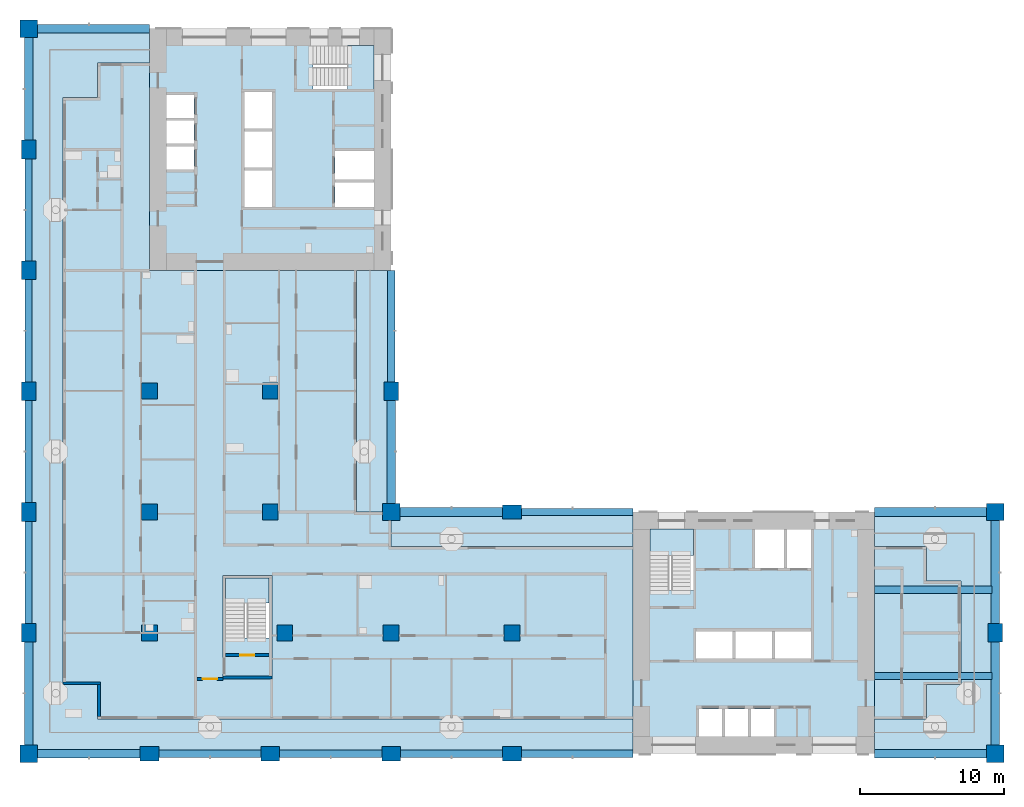
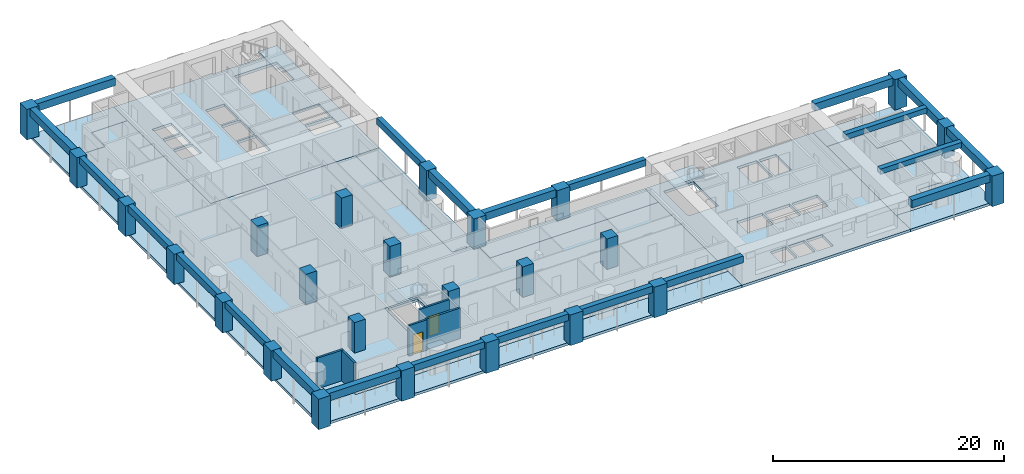
# One storey, part 1 of 18: 25 columns, 22 beams, 12 slabs, 5 walls, 2 doors, 2 openings, 3 elements without a shape of their own.
"""IFC4 building model written with IfcOpenShell, lengths in metres."""

import ifcopenshell
import ifcopenshell.guid

model = None  # the IFC model being written
_history = None  # IfcOwnerHistory: only IFC2X3 demands one
_inside = {}  # id of a spatial element -> (the spatial element, [elements in it])
_under = {}  # id of a project, library or spatial element -> (it, [spatial elements below it])
_declared = {}  # id of a project -> (the project, [libraries it declares])
_typed = {}  # id of a type object -> (the type object, [elements of that type])
_made_of = {}  # id of a material, layer set ... -> (it, [elements and type objects made of it])


def new_model(schema):
    """Start an empty IFC model of exactly this schema.

    Asked for "IFC4X3", IfcOpenShell would pick the latest addendum, in which some entities
    have other attributes; the version numbers below select the first issue.
    IFC2X3 requires an IfcOwnerHistory on every rooted entity: one is made here for all.
    """
    global model, _history
    if schema == "IFC4X3":
        model = ifcopenshell.file(schema_version=(4, 3, 0, 0))
    else:
        model = ifcopenshell.file(schema=schema)
    _inside.clear()
    _under.clear()
    _declared.clear()
    _typed.clear()
    _made_of.clear()
    _history = None
    if model.schema == "IFC2X3":
        org = make("IfcOrganization", Name="unknown")
        user = make(
            "IfcPersonAndOrganization",
            ThePerson=make("IfcPerson", FamilyName="unknown"),
            TheOrganization=org,
        )
        app = make(
            "IfcApplication",
            ApplicationDeveloper=org,
            Version="unknown",
            ApplicationFullName="unknown",
            ApplicationIdentifier="unknown",
        )
        _history = make(
            "IfcOwnerHistory",
            OwningUser=user,
            OwningApplication=app,
            ChangeAction="ADDED",
            CreationDate=0,
        )
    return model


def make(cls, **values):
    """One entity of the class cls with the attributes given. An attribute that is None is left unset."""
    return model.create_entity(
        cls, **{name: value for name, value in values.items() if value is not None}
    )


def rooted(cls, **values):
    """An entity with a GlobalId (a new one), such as an element, a storey or a relation."""
    return make(cls, GlobalId=ifcopenshell.guid.new(), OwnerHistory=_history, **values)


def si_unit(unit_type, name, prefix=None):
    """IfcSIUnit, for example si_unit("LENGTHUNIT", "METRE", prefix="MILLI")."""
    return make("IfcSIUnit", UnitType=unit_type, Prefix=prefix, Name=name)


def assignment(units):
    """IfcUnitAssignment: the units of a project."""
    return None if units is None else make("IfcUnitAssignment", Units=units)


def point(xyz):
    """IfcCartesianPoint."""
    return None if xyz is None else make("IfcCartesianPoint", Coordinates=xyz)


def direction(xyz):
    """IfcDirection."""
    return None if xyz is None else make("IfcDirection", DirectionRatios=xyz)


def frame(location, z_axis=None, x_axis=None):
    """IfcAxis2Placement3D, a coordinate frame: its origin and axes. An axis left out is left unset."""
    return make(
        "IfcAxis2Placement3D",
        Location=point(location),
        Axis=direction(z_axis),
        RefDirection=direction(x_axis),
    )


def frame_2d(location, x_axis=None):
    """IfcAxis2Placement2D, a coordinate frame in the plane: its origin and x axis."""
    return make(
        "IfcAxis2Placement2D", Location=point(location), RefDirection=direction(x_axis)
    )


def origin():
    """The frame at (0, 0, 0) with its axes left unset."""
    return frame((0.0, 0.0, 0.0))


def origin_2d():
    """The frame at (0, 0) in the plane with its x axis left unset."""
    return frame_2d((0.0, 0.0))


def place(relative_to, where):
    """IfcLocalPlacement: puts the frame where relative to a parent placement (None: the world)."""
    return make(
        "IfcLocalPlacement", PlacementRelTo=relative_to, RelativePlacement=where
    )


def context(
    kind, dimensions, precision=None, world=None, true_north=None, identifier=None
):
    """IfcGeometricRepresentationContext, for example the 3D "Model" context."""
    return make(
        "IfcGeometricRepresentationContext",
        ContextIdentifier=identifier,
        ContextType=kind,
        CoordinateSpaceDimension=dimensions,
        Precision=precision,
        WorldCoordinateSystem=world,
        TrueNorth=true_north,
    )


def subcontext(parent, identifier, kind, view, scale=None):
    """IfcGeometricRepresentationSubContext, for example "Body" below "Model"."""
    return make(
        "IfcGeometricRepresentationSubContext",
        ContextIdentifier=identifier,
        ContextType=kind,
        ParentContext=parent,
        TargetScale=scale,
        TargetView=view,
    )


def project(units=None, contexts=None):
    """IfcProject with its units and contexts."""
    return rooted(
        "IfcProject",
        Name="project",
        RepresentationContexts=contexts,
        UnitsInContext=assignment(units),
    )


def spatial(cls, under=None, at=None, **own):
    """A site, building, storey or space (cls), placed at a placement, below another one or the project."""
    s = rooted(cls, ObjectPlacement=at, **own)
    if under is not None:
        _under.setdefault(under.id(), (under, []))[1].append(s)
    return s


def polyline(points):
    """IfcPolyline through the points."""
    return make("IfcPolyline", Points=[point(p) for p in points])


def profile(cls, at=None, kind="AREA", **sizes):
    """A parametric profile (cls). Its sizes go by their IFC names, for example OverallWidth=200.0."""
    return make(cls, ProfileType=kind, Position=at, **sizes)


def rectangle(**sizes):
    """IfcRectangleProfileDef."""
    return profile("IfcRectangleProfileDef", **sizes)


def outline(outer, holes=None, kind="AREA"):
    """IfcArbitraryClosedProfileDef: a profile drawn as a closed curve; with holes, ...WithVoids."""
    if holes is None:
        return make("IfcArbitraryClosedProfileDef", ProfileType=kind, OuterCurve=outer)
    return make(
        "IfcArbitraryProfileDefWithVoids",
        ProfileType=kind,
        OuterCurve=outer,
        InnerCurves=holes,
    )


def extrude(swept, where, along, depth):
    """IfcExtrudedAreaSolid: the profile swept, set in the frame where, extruded along a direction by depth."""
    return make(
        "IfcExtrudedAreaSolid",
        SweptArea=swept,
        Position=where,
        ExtrudedDirection=direction(along),
        Depth=depth,
    )


def shape(context_of_items, identifier, shape_type, items):
    """IfcShapeRepresentation: the items that make up one representation, for example the "Body"."""
    return make(
        "IfcShapeRepresentation",
        ContextOfItems=context_of_items,
        RepresentationIdentifier=identifier,
        RepresentationType=shape_type,
        Items=items,
    )


def material(Name=None, Category=None):
    """IfcMaterial."""
    return make("IfcMaterial", Name=Name, Category=Category)


def layer(
    of_material, thickness, ventilated=None, Name=None, Category=None, Priority=None
):
    """IfcMaterialLayer: one layer of a wall or slab, of a material (None: an air gap)."""
    return make(
        "IfcMaterialLayer",
        Material=of_material,
        LayerThickness=thickness,
        IsVentilated=ventilated,
        Name=Name,
        Category=Category,
        Priority=Priority,
    )


def layer_set(layers, Name=None):
    """IfcMaterialLayerSet."""
    return make("IfcMaterialLayerSet", MaterialLayers=layers, LayerSetName=Name)


def material_profile(
    of_material, cross_section, Name=None, Category=None, Priority=None
):
    """IfcMaterialProfile: a cross section and its material."""
    return make(
        "IfcMaterialProfile",
        Name=Name,
        Material=of_material,
        Profile=cross_section,
        Priority=Priority,
        Category=Category,
    )


def profile_set(profiles, Name=None, composite=None):
    """IfcMaterialProfileSet."""
    return make(
        "IfcMaterialProfileSet",
        Name=Name,
        MaterialProfiles=profiles,
        CompositeProfile=composite,
    )


def made_of(thing, what):
    """Note that an element or type object is made of a material, layer set ...; save() writes the relation."""
    if what is not None:
        _made_of.setdefault(what.id(), (what, []))[1].append(thing)
    return thing


def type_object(cls, material=None, **own):
    """A type object (cls), such as IfcWallType, which elements share."""
    return made_of(rooted(cls, **own), material)


def element(
    cls,
    number,
    at=None,
    inside=None,
    cuts=None,
    type_object=None,
    material=None,
    context=None,
    identifier="Body",
    shape_type=None,
    held_by="IfcProductDefinitionShape",
    body=None,
    shapes=None,
    **own,
):
    """One element of the class cls, such as IfcWall. Its Tag is "e" and its number.

    at: its placement. inside: the storey or other place that contains it. cuts: it is an
    opening in that element (IfcRelVoidsElement). A single representation is given by context,
    identifier, shape_type and body (its items); several are given by shapes. held_by: the class
    of the entity that holds the representations. save() writes the other relations.
    """
    e = rooted(cls, Tag="e%d" % number, ObjectPlacement=at, **own)
    if body is not None:
        shapes = [shape(context, identifier, shape_type, body)]
    if shapes is not None:
        e.Representation = make(held_by, Representations=shapes)
    if inside is not None:
        _inside.setdefault(inside.id(), (inside, []))[1].append(e)
    if cuts is not None:
        rooted(
            "IfcRelVoidsElement", RelatingBuildingElement=cuts, RelatedOpeningElement=e
        )
    if type_object is not None:
        _typed.setdefault(type_object.id(), (type_object, []))[1].append(e)
    return made_of(e, material)


def fill(opening, filler):
    """IfcRelFillsElement: the door or window that sits in an opening."""
    return rooted(
        "IfcRelFillsElement",
        RelatingOpeningElement=opening,
        RelatedBuildingElement=filler,
    )


def aggregate(whole, parts):
    """IfcRelAggregates: a whole, such as a stair, and the parts it consists of."""
    return rooted("IfcRelAggregates", RelatingObject=whole, RelatedObjects=parts)


def save(model, path):
    """Write the relations noted so far, then the file.

    IfcRelAggregates (storeys below a building ...), IfcRelContainedInSpatialStructure (elements
    in a storey), IfcRelDefinesByType, IfcRelAssociatesMaterial and IfcRelDeclares: one each for
    every whole, place, type object, material and project.
    """
    for whole, parts in _under.values():
        aggregate(whole, parts)
    for where, things in _inside.values():
        rooted(
            "IfcRelContainedInSpatialStructure",
            RelatedElements=things,
            RelatingStructure=where,
        )
    for kind, things in _typed.values():
        rooted("IfcRelDefinesByType", RelatedObjects=things, RelatingType=kind)
    for what, things in _made_of.values():
        rooted("IfcRelAssociatesMaterial", RelatedObjects=things, RelatingMaterial=what)
    for by, libraries in _declared.values():
        rooted("IfcRelDeclares", RelatingContext=by, RelatedDefinitions=libraries)
    model.write(path)


model = new_model("IFC4")

# Units and contexts
model_context = context("Model", 3, precision=1e-05, world=origin(), true_north=direction((0.0, 1.0)))
body_context = subcontext(model_context, "Body", "Model", "MODEL_VIEW")
ifc_project = project(units=[si_unit("LENGTHUNIT", "METRE"), si_unit("AREAUNIT", "SQUARE_METRE"), si_unit("VOLUMEUNIT", "CUBIC_METRE"), si_unit("PLANEANGLEUNIT", "RADIAN"), si_unit("MASSUNIT", "GRAM", prefix="KILO")], contexts=[model_context])

# Site, building, storey
site_placement = place(None, origin())
site = spatial("IfcSite", under=ifc_project, at=site_placement, CompositionType="ELEMENT")
building_placement = place(site_placement, origin())
building = spatial("IfcBuilding", under=site, at=building_placement, Name="Vermilion Gate Residences", CompositionType="ELEMENT")
storey_placement = place(building_placement, frame((0.0, 0.0, 102.199951171875)))
storey = spatial("IfcBuildingStorey", under=building, at=storey_placement, Name="L25", CompositionType="ELEMENT", Elevation=102.199951171875)

# Columns
ifc_material_1 = material(Name="Concrete C70", Category="concrete")
ifc_material_profile_1 = material_profile(ifc_material_1, rectangle(XDim=1.10009765625, YDim=1.10009765625, at=origin_2d()), Name="RC-1100x1100")
ifc_profile_set_1 = profile_set([ifc_material_profile_1], Name="Concrete C70")
column_type_1 = type_object("IfcColumnType", Name="RC COLUMN 1100 X 1100 C70", PredefinedType="COLUMN", material=ifc_profile_set_1)
for number, where, z_axis, x_axis, name in (
    (1, (8.39990234375, 16.800048828125, 0.0), (0.0, 0.0, 1.0), (1.0, 0.0, 0.0), "Column 2-C L25"),
    (2, (8.39990234375, 25.199951171875, 0.0), (0.0, 0.0, 1.0), (1.0, 0.0, 0.0), "Column 2-D L25"),
    (3, (8.39990234375, 33.60009765625, 0.0), (0.0, 0.0, 1.0), (1.0, 0.0, 0.0), "Column 2-E L25"),
    (4, (17.800048828125, 16.800048828125, 0.0), (0.0, 0.0, 1.0), (1.0, 0.0, 0.0), "Column 3-C L25"),
    (5, (16.800048828125, 25.199951171875, 0.0), (0.0, 0.0, 1.0), (1.0, 0.0, 0.0), "Column 3-D L25"),
    (6, (16.800048828125, 33.60009765625, 0.0), (0.0, 0.0, 1.0), (1.0, 0.0, 0.0), "Column 3-E L25"),
    (7, (25.199951171875, 16.800048828125, 0.0), (0.0, 0.0, 1.0), (1.0, 0.0, 0.0), "Column 4-C L25"),
    (8, (33.60009765625, 16.800048828125, 0.0), (0.0, 0.0, 1.0), (1.0, 0.0, 0.0), "Column 5-C L25"),
):
    element("IfcColumn", number, at=place(storey_placement, frame(where, z_axis=z_axis, x_axis=x_axis)), inside=storey, type_object=column_type_1, Name=name, PredefinedType="COLUMN", context=body_context, shape_type="SweptSolid", body=[
        extrude(rectangle(XDim=1.10009765625, YDim=1.10009765625, at=origin_2d()), origin(), (0.0, 0.0, 1.0), 3.219970703125),
    ])
ifc_material_2 = material(Name="Concrete C70", Category="concrete")
ifc_material_profile_2 = material_profile(ifc_material_2, rectangle(XDim=1.199951171875, YDim=1.199951171875, at=origin_2d()), Name="RC-1200x1200")
ifc_profile_set_2 = profile_set([ifc_material_profile_2], Name="Concrete C70")
column_type_2 = type_object("IfcColumnType", Name="RC COLUMN 1200 X 1200 C70", PredefinedType="COLUMN", material=ifc_profile_set_2)
for number, where, z_axis, x_axis, name in (
    (9, (0.0, 8.39990234375, 0.0), (0.0, 0.0, 1.0), (1.0, 0.0, 0.0), "Column 1-B L25"),
    (10, (0.0, 58.800048828125, 0.0), (0.0, 0.0, 1.0), (1.0, 0.0, 0.0), "Column 1-H L25"),
    (11, (25.199951171875, 25.199951171875, 0.0), (0.0, 0.0, 1.0), (1.0, 0.0, 0.0), "Column 4-D L25"),
    (12, (67.199951171875, 8.39990234375, 0.0), (0.0, 0.0, 1.0), (1.0, 0.0, 0.0), "Column 9-B L25"),
    (13, (67.199951171875, 25.199951171875, 0.0), (0.0, 0.0, 1.0), (1.0, 0.0, 0.0), "Column 9-D L25"),
):
    element("IfcColumn", number, at=place(storey_placement, frame(where, z_axis=z_axis, x_axis=x_axis)), inside=storey, type_object=column_type_2, Name=name, PredefinedType="COLUMN", context=body_context, shape_type="SweptSolid", body=[
        extrude(rectangle(XDim=1.199951171875, YDim=1.199951171875, at=origin_2d()), origin(), (0.0, 0.0, 1.0), 3.219970703125),
    ])
ifc_material_3 = material(Name="Concrete C70", Category="concrete")
ifc_material_profile_3 = material_profile(ifc_material_3, rectangle(XDim=1.300048828125, YDim=1.0, at=origin_2d()), Name="RC-1300x1000")
ifc_profile_set_3 = profile_set([ifc_material_profile_3], Name="Concrete C70")
column_type_3 = type_object("IfcColumnType", Name="RC COLUMN 1300 X 1000 C70", PredefinedType="COLUMN", material=ifc_profile_set_3)
for number, where, z_axis, x_axis, name in (
    (14, (0.0, 16.800048828125, 0.0), (0.0, 0.0, 1.0), (0.0, 1.0, 0.0), "Column 1-C L25"),
    (15, (0.0, 25.199951171875, 0.0), (0.0, 0.0, 1.0), (0.0, 1.0, 0.0), "Column 1-D L25"),
    (16, (0.0, 33.60009765625, 0.0), (0.0, 0.0, 1.0), (0.0, 1.0, 0.0), "Column 1-E L25"),
    (17, (0.0, 42.0, 0.0), (0.0, 0.0, 1.0), (0.0, 1.0, 0.0), "Column 1-F L25"),
    (18, (0.0, 50.39990234375, 0.0), (0.0, 0.0, 1.0), (0.0, 1.0, 0.0), "Column 1-G L25"),
    (19, (8.39990234375, 8.39990234375, 0.0), (0.0, 0.0, 1.0), (1.0, 0.0, 0.0), "Column 2-B L25"),
    (20, (16.800048828125, 8.39990234375, 0.0), (0.0, 0.0, 1.0), (1.0, 0.0, 0.0), "Column 3-B L25"),
    (21, (25.199951171875, 8.39990234375, 0.0), (0.0, 0.0, 1.0), (1.0, 0.0, 0.0), "Column 4-B L25"),
    (22, (25.199951171875, 33.60009765625, 0.0), (0.0, 0.0, 1.0), (0.0, 1.0, 0.0), "Column 4-E L25"),
    (23, (33.60009765625, 8.39990234375, 0.0), (0.0, 0.0, 1.0), (1.0, 0.0, 0.0), "Column 5-B L25"),
    (24, (33.60009765625, 25.199951171875, 0.0), (0.0, 0.0, 1.0), (1.0, 0.0, 0.0), "Column 5-D L25"),
    (25, (67.199951171875, 16.800048828125, 0.0), (0.0, 0.0, 1.0), (0.0, 1.0, 0.0), "Column 9-C L25"),
):
    element("IfcColumn", number, at=place(storey_placement, frame(where, z_axis=z_axis, x_axis=x_axis)), inside=storey, type_object=column_type_3, Name=name, PredefinedType="COLUMN", context=body_context, shape_type="SweptSolid", body=[
        extrude(rectangle(XDim=1.300048828125, YDim=1.0, at=origin_2d()), origin(), (0.0, 0.0, 1.0), 3.219970703125),
    ])

# Beams
ifc_material_4 = material(Name="Concrete C60 red-oxide pigmented", Category="concrete")
ifc_material_profile_4 = material_profile(ifc_material_4, rectangle(XDim=0.60009765625, YDim=0.800048828125, at=origin_2d()), Name="RC-600x800")
ifc_profile_set_4 = profile_set([ifc_material_profile_4], Name="Concrete C60 red-oxide pigmented")
beam_type_1 = type_object("IfcBeamType", Name="RC CORNER EDGE BEAM 600 X 800 C60", PredefinedType="BEAM", material=ifc_profile_set_4)
for number, where, z_axis, x_axis, name in (
    (26, (0.60009765625, 8.39990234375, 2.820068359375), (1.0, 0.0, 0.0), (0.0, 1.0, 0.0), "Corner edge beam L25 1"),
    (27, (0.0, 9.0, 2.820068359375), (0.0, 1.0, 0.0), (-1.0, 0.0, 0.0), "Corner edge beam L25 2"),
):
    element("IfcBeam", number, at=place(storey_placement, frame(where, z_axis=z_axis, x_axis=x_axis)), inside=storey, type_object=beam_type_1, Name=name, PredefinedType="BEAM", context=body_context, shape_type="SweptSolid", body=[
        extrude(rectangle(XDim=0.60009765625, YDim=0.800048828125, at=origin_2d()), origin(), (0.0, 0.0, 1.0), 7.14990234375),
    ])
beam_1_placement = place(storey_placement, frame((0.60009765625, 58.800048828125, 2.820068359375), z_axis=(1.0, 0.0, 0.0), x_axis=(0.0, 1.0, 0.0)))
element("IfcBeam", 28, at=beam_1_placement, inside=storey, type_object=beam_type_1, Name="Corner edge beam L25 7", PredefinedType="BEAM", context=body_context, shape_type="SweptSolid", body=[
    extrude(rectangle(XDim=0.60009765625, YDim=0.800048828125, at=origin_2d()), origin(), (0.0, 0.0, 1.0), 7.7998046875),
])
for number, where, z_axis, x_axis, name in (
    (29, (0.0, 51.050048828125, 2.820068359375), (0.0, 1.0, 0.0), (-1.0, 0.0, 0.0), "Corner edge beam L25 8"),
    (30, (25.199951171875, 25.800048828125, 2.820068359375), (0.0, 1.0, 0.0), (-1.0, 0.0, 0.0), "Corner edge beam L25 11"),
    (31, (25.800048828125, 25.199951171875, 2.820068359375), (1.0, 0.0, 0.0), (0.0, 1.0, 0.0), "Corner edge beam L25 14"),
):
    element("IfcBeam", number, at=place(storey_placement, frame(where, z_axis=z_axis, x_axis=x_axis)), inside=storey, type_object=beam_type_1, Name=name, PredefinedType="BEAM", context=body_context, shape_type="SweptSolid", body=[
        extrude(rectangle(XDim=0.60009765625, YDim=0.800048828125, at=origin_2d()), origin(), (0.0, 0.0, 1.0), 7.14990234375),
    ])
beam_2_placement = place(storey_placement, frame((58.800048828125, 8.39990234375, 2.820068359375), z_axis=(1.0, 0.0, 0.0), x_axis=(0.0, 1.0, 0.0)))
element("IfcBeam", 32, at=beam_2_placement, inside=storey, type_object=beam_type_1, Name="Corner edge beam L25 17", PredefinedType="BEAM", context=body_context, shape_type="SweptSolid", body=[
    extrude(rectangle(XDim=0.60009765625, YDim=0.800048828125, at=origin_2d()), origin(), (0.0, 0.0, 1.0), 7.800048828125),
])
beam_3_placement = place(storey_placement, frame((67.199951171875, 9.0, 2.820068359375), z_axis=(0.0, 1.0, 0.0), x_axis=(-1.0, 0.0, 0.0)))
element("IfcBeam", 33, at=beam_3_placement, inside=storey, type_object=beam_type_1, Name="Corner edge beam L25 18", PredefinedType="BEAM", context=body_context, shape_type="SweptSolid", body=[
    extrude(rectangle(XDim=0.60009765625, YDim=0.800048828125, at=origin_2d()), origin(), (0.0, 0.0, 1.0), 7.14990234375),
])
beam_4_placement = place(storey_placement, frame((67.199951171875, 17.449951171875, 2.820068359375), z_axis=(0.0, 1.0, 0.0), x_axis=(-1.0, 0.0, 0.0)))
element("IfcBeam", 34, at=beam_4_placement, inside=storey, type_object=beam_type_1, Name="Corner edge beam L25 19", PredefinedType="BEAM", context=body_context, shape_type="SweptSolid", body=[
    extrude(rectangle(XDim=0.60009765625, YDim=0.800048828125, at=origin_2d()), origin(), (0.0, 0.0, 1.0), 7.150146484375),
])
beam_5_placement = place(storey_placement, frame((58.800048828125, 25.199951171875, 2.820068359375), z_axis=(1.0, 0.0, 0.0), x_axis=(0.0, 1.0, 0.0)))
element("IfcBeam", 35, at=beam_5_placement, inside=storey, type_object=beam_type_1, Name="Corner edge beam L25 20", PredefinedType="BEAM", context=body_context, shape_type="SweptSolid", body=[
    extrude(rectangle(XDim=0.60009765625, YDim=0.800048828125, at=origin_2d()), origin(), (0.0, 0.0, 1.0), 7.800048828125),
])
ifc_material_5 = material(Name="Concrete C60 red-oxide pigmented", Category="concrete")
ifc_material_profile_5 = material_profile(ifc_material_5, rectangle(XDim=0.5, YDim=0.699951171875, at=origin_2d()), Name="RC-500x700")
ifc_profile_set_5 = profile_set([ifc_material_profile_5], Name="Concrete C60 red-oxide pigmented")
beam_type_2 = type_object("IfcBeamType", Name="RC EDGE BEAM 500 X 700 C60", PredefinedType="BEAM", material=ifc_profile_set_5)
beam_6_placement = place(storey_placement, frame((0.0, 17.449951171875, 2.8701171875), z_axis=(0.0, 1.0, 0.0), x_axis=(-1.0, 0.0, 0.0)))
element("IfcBeam", 36, at=beam_6_placement, inside=storey, type_object=beam_type_2, Name="Edge beam L25 3", PredefinedType="BEAM", context=body_context, shape_type="SweptSolid", body=[
    extrude(rectangle(XDim=0.5, YDim=0.699951171875, at=origin_2d()), origin(), (0.0, 0.0, 1.0), 7.10009765625),
])
beam_7_placement = place(storey_placement, frame((0.0, 25.85009765625, 2.8701171875), z_axis=(0.0, 1.0, 0.0), x_axis=(-1.0, 0.0, 0.0)))
element("IfcBeam", 37, at=beam_7_placement, inside=storey, type_object=beam_type_2, Name="Edge beam L25 4", PredefinedType="BEAM", context=body_context, shape_type="SweptSolid", body=[
    extrude(rectangle(XDim=0.5, YDim=0.699951171875, at=origin_2d()), origin(), (0.0, 0.0, 1.0), 7.099853515625),
])
for number, where, z_axis, x_axis, name in (
    (38, (0.0, 34.25, 2.8701171875), (0.0, 1.0, 0.0), (-1.0, 0.0, 0.0), "Edge beam L25 5"),
    (39, (0.0, 42.64990234375, 2.8701171875), (0.0, 1.0, 0.0), (-1.0, 0.0, 0.0), "Edge beam L25 6"),
):
    element("IfcBeam", number, at=place(storey_placement, frame(where, z_axis=z_axis, x_axis=x_axis)), inside=storey, type_object=beam_type_2, Name=name, PredefinedType="BEAM", context=body_context, shape_type="SweptSolid", body=[
        extrude(rectangle(XDim=0.5, YDim=0.699951171875, at=origin_2d()), origin(), (0.0, 0.0, 1.0), 7.10009765625),
    ])
beam_8_placement = place(storey_placement, frame((9.050048828125, 8.39990234375, 2.8701171875), z_axis=(1.0, 0.0, 0.0), x_axis=(0.0, 1.0, 0.0)))
element("IfcBeam", 40, at=beam_8_placement, inside=storey, type_object=beam_type_2, Name="Edge beam L25 9", PredefinedType="BEAM", context=body_context, shape_type="SweptSolid", body=[
    extrude(rectangle(XDim=0.5, YDim=0.699951171875, at=origin_2d()), origin(), (0.0, 0.0, 1.0), 7.099853515625),
])
beam_9_placement = place(storey_placement, frame((17.449951171875, 8.39990234375, 2.8701171875), z_axis=(1.0, 0.0, 0.0), x_axis=(0.0, 1.0, 0.0)))
element("IfcBeam", 41, at=beam_9_placement, inside=storey, type_object=beam_type_2, Name="Edge beam L25 10", PredefinedType="BEAM", context=body_context, shape_type="SweptSolid", body=[
    extrude(rectangle(XDim=0.5, YDim=0.699951171875, at=origin_2d()), origin(), (0.0, 0.0, 1.0), 7.10009765625),
])
beam_10_placement = place(storey_placement, frame((25.199951171875, 34.25, 2.8701171875), z_axis=(0.0, 1.0, 0.0), x_axis=(-1.0, 0.0, 0.0)))
element("IfcBeam", 42, at=beam_10_placement, inside=storey, type_object=beam_type_2, Name="Edge beam L25 12", PredefinedType="BEAM", context=body_context, shape_type="SweptSolid", body=[
    extrude(rectangle(XDim=0.5, YDim=0.699951171875, at=origin_2d()), origin(), (0.0, 0.0, 1.0), 7.75),
])
beam_11_placement = place(storey_placement, frame((25.85009765625, 8.39990234375, 2.8701171875), z_axis=(1.0, 0.0, 0.0), x_axis=(0.0, 1.0, 0.0)))
element("IfcBeam", 43, at=beam_11_placement, inside=storey, type_object=beam_type_2, Name="Edge beam L25 13", PredefinedType="BEAM", context=body_context, shape_type="SweptSolid", body=[
    extrude(rectangle(XDim=0.5, YDim=0.699951171875, at=origin_2d()), origin(), (0.0, 0.0, 1.0), 7.099853515625),
])
for number, where, z_axis, x_axis, name in (
    (44, (34.25, 8.39990234375, 2.8701171875), (1.0, 0.0, 0.0), (0.0, 1.0, 0.0), "Edge beam L25 15"),
    (45, (34.25, 25.199951171875, 2.8701171875), (1.0, 0.0, 0.0), (0.0, 1.0, 0.0), "Edge beam L25 16"),
):
    element("IfcBeam", number, at=place(storey_placement, frame(where, z_axis=z_axis, x_axis=x_axis)), inside=storey, type_object=beam_type_2, Name=name, PredefinedType="BEAM", context=body_context, shape_type="SweptSolid", body=[
        extrude(rectangle(XDim=0.5, YDim=0.699951171875, at=origin_2d()), origin(), (0.0, 0.0, 1.0), 7.75),
    ])
ifc_material_6 = material(Name="Concrete C60", Category="concrete")
ifc_material_profile_6 = material_profile(ifc_material_6, rectangle(XDim=0.5, YDim=0.550048828125, at=origin_2d()), Name="RC-500x550")
ifc_profile_set_6 = profile_set([ifc_material_profile_6], Name="Concrete C60")
beam_type_3 = type_object("IfcBeamType", Name="RC WING BEAM 500 X 550 C60", PredefinedType="BEAM", material=ifc_profile_set_6)
for number, where, z_axis, x_axis, name in (
    (46, (58.800048828125, 13.800048828125, 2.945068359375), (1.0, 0.0, 0.0), (0.0, 1.0, 0.0), "Wing-end beam L25 1"),
    (47, (58.800048828125, 19.800048828125, 2.945068359375), (1.0, 0.0, 0.0), (0.0, 1.0, 0.0), "Wing-end beam L25 2"),
):
    element("IfcBeam", number, at=place(storey_placement, frame(where, z_axis=z_axis, x_axis=x_axis)), inside=storey, type_object=beam_type_3, Name=name, PredefinedType="BEAM", context=body_context, shape_type="SweptSolid", body=[
        extrude(rectangle(XDim=0.5, YDim=0.550048828125, at=origin_2d()), origin(), (0.0, 0.0, 1.0), 8.14990234375),
    ])

# Slabs
ifc_material_7 = material(Name="Concrete C50", Category="concrete")
ifc_layer_1 = layer(ifc_material_7, 0.280029296875)
ifc_layer_set_1 = layer_set([ifc_layer_1], Name="RC CORE FLOOR SLAB 280 C50")
slab_type_1 = type_object("IfcSlabType", Name="RC CORE FLOOR SLAB 280 C50", PredefinedType="FLOOR", material=ifc_layer_set_1)
slab_1_placement = place(storey_placement, frame((0.0, 0.0, -0.280029296875)))
element("IfcSlab", 48, at=slab_1_placement, inside=storey, type_object=slab_type_1, Name="Core floor slab A25", PredefinedType="FLOOR", context=body_context, shape_type="SweptSolid", body=[
    extrude(outline(polyline([(42.0, 8.39990234375), (58.800048828125, 8.39990234375), (58.800048828125, 25.199951171875), (42.0, 25.199951171875), (42.0, 8.39990234375)]), holes=[polyline([(46.60009765625, 11.5), (48.199951171875, 11.5), (48.199951171875, 9.60009765625), (46.60009765625, 9.60009765625), (46.60009765625, 11.5)]), polyline([(48.39990234375, 11.5), (50.0, 11.5), (50.0, 9.60009765625), (48.39990234375, 9.60009765625), (48.39990234375, 11.5)]), polyline([(50.199951171875, 11.5), (51.800048828125, 11.5), (51.800048828125, 9.60009765625), (50.199951171875, 9.60009765625), (50.199951171875, 11.5)]), polyline([(46.39990234375, 16.89990234375), (48.933349609375, 16.89990234375), (48.933349609375, 15.0), (46.39990234375, 15.0), (46.39990234375, 16.89990234375)]), polyline([(49.13330078125, 16.89990234375), (51.666748046875, 16.89990234375), (51.666748046875, 15.0), (49.13330078125, 15.0), (49.13330078125, 16.89990234375)]), polyline([(51.86669921875, 16.89990234375), (54.39990234375, 16.89990234375), (54.39990234375, 15.0), (51.86669921875, 15.0), (51.86669921875, 16.89990234375)]), polyline([(43.199951171875, 24.0), (46.199951171875, 24.0), (46.199951171875, 19.75), (43.199951171875, 19.75), (43.199951171875, 24.0)]), polyline([(52.5, 24.0), (52.5, 21.300048828125), (50.5, 21.300048828125), (50.5, 24.0), (52.5, 24.0)]), polyline([(54.39990234375, 24.0), (54.39990234375, 21.300048828125), (52.699951171875, 21.300048828125), (52.699951171875, 24.0), (54.39990234375, 24.0)])]), origin(), (0.0, 0.0, 1.0), 0.280029296875),
])
slab_2_placement = place(storey_placement, frame((0.0, 0.0, -0.280029296875)))
element("IfcSlab", 49, at=slab_2_placement, inside=storey, type_object=slab_type_1, Name="Core floor slab B25", PredefinedType="FLOOR", context=body_context, shape_type="SweptSolid", body=[
    extrude(outline(polyline([(8.39990234375, 42.0), (25.199951171875, 42.0), (25.199951171875, 58.800048828125), (8.39990234375, 58.800048828125), (8.39990234375, 42.0)]), holes=[polyline([(21.300048828125, 48.10009765625), (24.0, 48.10009765625), (24.0, 46.39990234375), (21.300048828125, 46.39990234375), (21.300048828125, 48.10009765625)]), polyline([(15.0, 48.933349609375), (16.89990234375, 48.933349609375), (16.89990234375, 46.39990234375), (15.0, 46.39990234375), (15.0, 48.933349609375)]), polyline([(21.300048828125, 50.300048828125), (24.0, 50.300048828125), (24.0, 48.300048828125), (21.300048828125, 48.300048828125), (21.300048828125, 50.300048828125)]), polyline([(9.60009765625, 50.60009765625), (11.5, 50.60009765625), (11.5, 49.0), (9.60009765625, 49.0), (9.60009765625, 50.60009765625)]), polyline([(15.0, 51.666748046875), (16.89990234375, 51.666748046875), (16.89990234375, 49.13330078125), (15.0, 49.13330078125), (15.0, 51.666748046875)]), polyline([(9.60009765625, 52.39990234375), (11.5, 52.39990234375), (11.5, 50.800048828125), (9.60009765625, 50.800048828125), (9.60009765625, 52.39990234375)]), polyline([(15.0, 54.39990234375), (16.89990234375, 54.39990234375), (16.89990234375, 51.86669921875), (15.0, 51.86669921875), (15.0, 54.39990234375)]), polyline([(11.5, 54.199951171875), (11.5, 52.60009765625), (9.60009765625, 52.60009765625), (9.60009765625, 54.199951171875), (11.5, 54.199951171875)]), polyline([(24.0, 57.60009765625), (24.0, 54.60009765625), (19.75, 54.60009765625), (19.75, 57.60009765625), (24.0, 57.60009765625)])]), origin(), (0.0, 0.0, 1.0), 0.280029296875),
])
slab_3_placement = place(storey_placement, frame((0.0, 0.0, -0.280029296875)))
element("IfcSlab", 50, at=slab_3_placement, inside=storey, type_object=slab_type_1, Name="Apex stair floor slab 25", PredefinedType="FLOOR", context=body_context, shape_type="SweptSolid", body=[
    extrude(outline(polyline([(13.5, 13.60009765625), (16.89990234375, 13.60009765625), (16.89990234375, 20.800048828125), (13.5, 20.800048828125), (13.5, 13.60009765625)]), holes=[polyline([(16.699951171875, 20.60009765625), (16.699951171875, 16.449951171875), (13.699951171875, 16.449951171875), (13.699951171875, 20.60009765625), (16.699951171875, 20.60009765625)])]), origin(), (0.0, 0.0, 1.0), 0.280029296875),
])
ifc_material_8 = material(Name="Concrete C50", Category="concrete")
ifc_layer_2 = layer(ifc_material_8, 0.280029296875)
ifc_layer_set_2 = layer_set([ifc_layer_2], Name="RC FLAT PLATE 280 C50")
slab_type_2 = type_object("IfcSlabType", Name="RC FLAT PLATE 280 C50", PredefinedType="FLOOR", material=ifc_layer_set_2)
slab_4_placement = place(storey_placement, frame((0.0, 0.0, -0.280029296875)))
element("IfcSlab", 51, at=slab_4_placement, inside=storey, type_object=slab_type_2, Name="Floor slab L25", PredefinedType="FLOOR", context=body_context, shape_type="SweptSolid", body=[
    extrude(outline(polyline([(22.800048828125, 25.199951171875), (22.800048828125, 42.0), (8.39990234375, 42.0), (8.39990234375, 56.39990234375), (4.800048828125, 56.39990234375), (4.800048828125, 54.0), (2.39990234375, 54.0), (2.39990234375, 13.199951171875), (4.800048828125, 13.199951171875), (4.800048828125, 10.800048828125), (42.0, 10.800048828125), (42.0, 22.800048828125), (25.199951171875, 22.800048828125), (25.199951171875, 25.199951171875), (22.800048828125, 25.199951171875)]), holes=[polyline([(13.5, 13.60009765625), (13.5, 20.800048828125), (16.89990234375, 20.800048828125), (16.89990234375, 13.60009765625), (13.5, 13.60009765625)])]), origin(), (0.0, 0.0, 1.0), 0.280029296875),
])
slab_5_placement = place(storey_placement, frame((0.0, 0.0, -0.280029296875)))
element("IfcSlab", 52, at=slab_5_placement, inside=storey, type_object=slab_type_2, Name="Floor slab L25", PredefinedType="FLOOR", context=body_context, shape_type="SweptSolid", body=[
    extrude(outline(polyline([(58.800048828125, 22.800048828125), (58.800048828125, 10.800048828125), (62.39990234375, 10.800048828125), (62.39990234375, 13.199951171875), (64.800048828125, 13.199951171875), (64.800048828125, 20.39990234375), (62.39990234375, 20.39990234375), (62.39990234375, 22.800048828125), (58.800048828125, 22.800048828125)])), origin(), (0.0, 0.0, 1.0), 0.280029296875),
])
ifc_material_9 = material(Name="Concrete C50 red-oxide pigmented", Category="concrete")
ifc_layer_3 = layer(ifc_material_9, 0.280029296875)
ifc_layer_set_3 = layer_set([ifc_layer_3], Name="RC LOGGIA SLAB 280 C50")
slab_type_3 = type_object("IfcSlabType", Name="RC LOGGIA SLAB 280 C50", PredefinedType="FLOOR", material=ifc_layer_set_3)
slab_6_placement = place(storey_placement, frame((0.0, 0.0, -0.280029296875)))
element("IfcSlab", 53, at=slab_6_placement, inside=storey, type_object=slab_type_3, Name="Loggia slab L25", PredefinedType="FLOOR", context=body_context, shape_type="SweptSolid", body=[
    extrude(outline(polyline([(0.0, 58.800048828125), (0.0, 8.39990234375), (42.0, 8.39990234375), (42.0, 10.800048828125), (4.800048828125, 10.800048828125), (4.800048828125, 13.199951171875), (2.39990234375, 13.199951171875), (2.39990234375, 54.0), (4.800048828125, 54.0), (4.800048828125, 56.39990234375), (8.39990234375, 56.39990234375), (8.39990234375, 58.800048828125), (0.0, 58.800048828125)])), origin(), (0.0, 0.0, 1.0), 0.280029296875),
])
slab_7_placement = place(storey_placement, frame((0.0, 0.0, -0.280029296875)))
element("IfcSlab", 54, at=slab_7_placement, inside=storey, type_object=slab_type_3, Name="Loggia slab L25", PredefinedType="FLOOR", context=body_context, shape_type="SweptSolid", body=[
    extrude(outline(polyline([(64.800048828125, 20.39990234375), (64.800048828125, 13.199951171875), (62.39990234375, 13.199951171875), (62.39990234375, 10.800048828125), (58.800048828125, 10.800048828125), (58.800048828125, 8.39990234375), (67.199951171875, 8.39990234375), (67.199951171875, 25.199951171875), (58.800048828125, 25.199951171875), (58.800048828125, 22.800048828125), (62.39990234375, 22.800048828125), (62.39990234375, 20.39990234375), (64.800048828125, 20.39990234375)])), origin(), (0.0, 0.0, 1.0), 0.280029296875),
])
slab_8_placement = place(storey_placement, frame((0.0, 0.0, -0.280029296875)))
element("IfcSlab", 55, at=slab_8_placement, inside=storey, type_object=slab_type_3, Name="Loggia slab L25", PredefinedType="FLOOR", context=body_context, shape_type="SweptSolid", body=[
    extrude(outline(polyline([(25.199951171875, 22.800048828125), (42.0, 22.800048828125), (42.0, 25.199951171875), (25.199951171875, 25.199951171875), (25.199951171875, 22.800048828125)])), origin(), (0.0, 0.0, 1.0), 0.280029296875),
])
slab_9_placement = place(storey_placement, frame((0.0, 0.0, -0.280029296875)))
element("IfcSlab", 56, at=slab_9_placement, inside=storey, type_object=slab_type_3, Name="Loggia slab L25", PredefinedType="FLOOR", context=body_context, shape_type="SweptSolid", body=[
    extrude(outline(polyline([(25.199951171875, 25.199951171875), (25.199951171875, 42.0), (22.800048828125, 42.0), (22.800048828125, 25.199951171875), (25.199951171875, 25.199951171875)])), origin(), (0.0, 0.0, 1.0), 0.280029296875),
])

# Stair, slab
ifc_material_10 = material(Name="Concrete C50", Category="concrete")
stair_type = type_object("IfcStairType", Name="SPECIAL ESCAPE STAIR 1300", PredefinedType="HALF_TURN_STAIR", material=ifc_material_10)
stair_1_placement = place(storey_placement, origin())
stair_1 = element("IfcStair", 57, at=stair_1_placement, inside=storey, type_object=stair_type, Name="Special escape stair STA1-25", PredefinedType="HALF_TURN_STAIR")
ifc_material_11 = material(Name="Concrete C50", Category="concrete")
ifc_layer_4 = layer(ifc_material_11, 0.199951171875)
ifc_layer_set_4 = layer_set([ifc_layer_4], Name="STAIR LANDING 200 C50")
slab_type_4 = type_object("IfcSlabType", Name="STAIR LANDING 200 C50", PredefinedType="LANDING", material=ifc_layer_set_4)
slab_10_placement = place(storey_placement, frame((0.0, 0.0, 1.550048828125)))
slab_10 = element("IfcSlab", 58, at=slab_10_placement, type_object=slab_type_4, Name="STA1-25 landing 1", PredefinedType="LANDING", context=body_context, shape_type="SweptSolid", body=[
    extrude(outline(polyline([(46.219970703125, 22.179931640625), (46.219970703125, 24.02001953125), (43.179931640625, 24.02001953125), (43.179931640625, 22.179931640625), (46.219970703125, 22.179931640625)])), origin(), (0.0, 0.0, 1.0), 0.199951171875),
])
aggregate(stair_1, [slab_10])

stair_2_placement = place(storey_placement, origin())
stair_2 = element("IfcStair", 59, at=stair_2_placement, inside=storey, type_object=stair_type, Name="Special escape stair STB1-25", PredefinedType="HALF_TURN_STAIR")
slab_11_placement = place(storey_placement, frame((0.0, 0.0, 1.550048828125)))
slab_11 = element("IfcSlab", 60, at=slab_11_placement, type_object=slab_type_4, Name="STB1-25 landing 1", PredefinedType="LANDING", context=body_context, shape_type="SweptSolid", body=[
    extrude(outline(polyline([(24.02001953125, 54.580078125), (24.02001953125, 57.6201171875), (22.179931640625, 57.6201171875), (22.179931640625, 54.580078125), (24.02001953125, 54.580078125)])), origin(), (0.0, 0.0, 1.0), 0.199951171875),
])
aggregate(stair_2, [slab_11])

stair_3_placement = place(storey_placement, origin())
stair_3 = element("IfcStair", 61, at=stair_3_placement, inside=storey, type_object=stair_type, Name="Special escape stair STC1-25", PredefinedType="HALF_TURN_STAIR")
slab_12_placement = place(storey_placement, frame((0.0, 0.0, 1.550048828125)))
slab_12 = element("IfcSlab", 62, at=slab_12_placement, type_object=slab_type_4, Name="STC1-25 landing 1", PredefinedType="LANDING", context=body_context, shape_type="SweptSolid", body=[
    extrude(outline(polyline([(16.719970703125, 18.8798828125), (16.719970703125, 20.6201171875), (13.679931640625, 20.6201171875), (13.679931640625, 18.8798828125), (16.719970703125, 18.8798828125)])), origin(), (0.0, 0.0, 1.0), 0.199951171875),
])
aggregate(stair_3, [slab_12])

# Walls
ifc_material_12 = material(Name="Insulated steel stud wall with terracotta rainscreen", Category="masonry")
ifc_layer_5 = layer(ifc_material_12, 0.199951171875)
ifc_layer_set_5 = layer_set([ifc_layer_5], Name="EXTERNAL WALL 200 TERRACOTTA RAINSCREEN")
wall_type_1 = type_object("IfcWallType", Name="EXTERNAL WALL 200 TERRACOTTA RAINSCREEN", PredefinedType="SOLIDWALL", material=ifc_layer_set_5)
wall_1_placement = place(storey_placement, frame((2.39990234375, 13.300048828125, 0.0), z_axis=(0.0, 0.0, 1.0), x_axis=(1.0, 0.0, 0.0)))
element("IfcWall", 63, at=wall_1_placement, inside=storey, type_object=wall_type_1, Name="External wall", PredefinedType="SOLIDWALL", context=body_context, shape_type="SweptSolid", body=[
    extrude(rectangle(XDim=2.60009765625, YDim=0.199951171875, at=frame_2d((1.300048828125, 0.0))), origin(), (0.0, 0.0, 1.0), 3.219970703125),
])
wall_2_placement = place(storey_placement, frame((4.89990234375, 13.199951171875, 0.0), z_axis=(0.0, 0.0, 1.0), x_axis=(0.0, -1.0, 0.0)))
element("IfcWall", 64, at=wall_2_placement, inside=storey, type_object=wall_type_1, Name="External wall", PredefinedType="SOLIDWALL", context=body_context, shape_type="SweptSolid", body=[
    extrude(rectangle(XDim=2.199951171875, YDim=0.199951171875, at=frame_2d((1.10009765625, 0.0))), origin(), (0.0, 0.0, 1.0), 3.219970703125),
])

# Wall, opening, door
ifc_material_13 = material(Name="Fire-rated plasterboard on steel studs", Category="steel")
ifc_layer_6 = layer(ifc_material_13, 0.199951171875)
ifc_layer_set_6 = layer_set([ifc_layer_6], Name="PARTY WALL 200 EI 120")
wall_type_2 = type_object("IfcWallType", Name="PARTY WALL 200 EI 120", PredefinedType="PARTITIONING", material=ifc_layer_set_6)
wall_3_placement = place(storey_placement, frame((11.699951171875, 13.60009765625, 0.0), z_axis=(0.0, 0.0, 1.0), x_axis=(1.0, 0.0, 0.0)))
wall_3 = element("IfcWall", 65, at=wall_3_placement, inside=storey, type_object=wall_type_2, Name="Party and corridor wall", PredefinedType="PARTITIONING", context=body_context, shape_type="SweptSolid", body=[
    extrude(rectangle(XDim=1.800048828125, YDim=0.199951171875, at=frame_2d((0.89990234375, 0.0))), origin(), (0.0, 0.0, 1.0), 3.219970703125),
])
opening_1_placement = place(wall_3_placement, frame((0.39990234375, 0.0, 0.0)))
opening_1 = element("IfcOpeningElement", 66, at=opening_1_placement, cuts=wall_3, Name="Opening DA25001", PredefinedType="OPENING", context=body_context, shape_type="SweptSolid", body=[
    extrude(rectangle(XDim=1.0, YDim=2.10009765625, at=frame_2d((0.5, 1.050048828125))), frame((0.0, 0.10986328125, 0.0), z_axis=(0.0, -1.0, 0.0), x_axis=(1.0, 0.0, 0.0)), (0.0, 0.0, 1.0), 0.219970703125),
])
ifc_material_14 = material(Name="Steel", Category="steel")
door_type_1 = type_object("IfcDoorType", Name="ENTRANCE DOOR 1000 X 2100 FD30", OperationType="SINGLE_SWING_LEFT", PredefinedType="DOOR", material=ifc_material_14)
door_1_placement = place(opening_1_placement, frame((1.0, 0.0, 0.0), z_axis=(0.0, 0.0, 1.0), x_axis=(-1.0, 0.0, 0.0)))
door_1 = element("IfcDoor", 67, at=door_1_placement, inside=storey, type_object=door_type_1, Name="Entrance door", OperationType="SINGLE_SWING_RIGHT", OverallHeight=2.10009765625, OverallWidth=1.0, PredefinedType="DOOR", context=body_context, shape_type="SweptSolid", body=[
    extrude(rectangle(XDim=1.0, YDim=2.10009765625, at=frame_2d((0.5, 1.050048828125))), frame((0.0, 0.02490234375, 0.0), z_axis=(0.0, -1.0, 0.0), x_axis=(1.0, 0.0, 0.0)), (0.0, 0.0, 1.0), 0.050048828125),
])
fill(opening_1, door_1)

# Wall
ifc_material_15 = material(Name="Concrete C60", Category="concrete")
ifc_layer_7 = layer(ifc_material_15, 0.199951171875)
ifc_layer_set_7 = layer_set([ifc_layer_7], Name="RC CORE INTERNAL WALL 200 C60")
wall_type_3 = type_object("IfcWallType", Name="RC CORE INTERNAL WALL 200 C60", PredefinedType="SHEAR", material=ifc_layer_set_7)
wall_4_placement = place(storey_placement, frame((13.5, 13.699951171875, 0.0), z_axis=(0.0, 0.0, 1.0), x_axis=(1.0, 0.0, 0.0)))
element("IfcWall", 68, at=wall_4_placement, inside=storey, type_object=wall_type_3, Name="Core internal wall C25-S", PredefinedType="SHEAR", context=body_context, shape_type="SweptSolid", body=[
    extrude(rectangle(XDim=3.39990234375, YDim=0.199951171875, at=frame_2d((1.699951171875, 0.0))), origin(), (0.0, 0.0, 1.0), 3.219970703125),
])

# Wall, opening, door
wall_5_placement = place(storey_placement, frame((13.699951171875, 15.25, 0.0), z_axis=(0.0, 0.0, 1.0), x_axis=(1.0, 0.0, 0.0)))
wall_5 = element("IfcWall", 69, at=wall_5_placement, inside=storey, type_object=wall_type_3, Name="Core internal wall C25-P", PredefinedType="SHEAR", context=body_context, shape_type="SweptSolid", body=[
    extrude(rectangle(XDim=3.0, YDim=0.199951171875, at=frame_2d((1.5, 0.0))), origin(), (0.0, 0.0, 1.0), 3.219970703125),
])
opening_2_placement = place(wall_5_placement, frame((1.0, 0.0, 0.0)))
opening_2 = element("IfcOpeningElement", 70, at=opening_2_placement, cuts=wall_5, Name="Opening DK25202", PredefinedType="OPENING", context=body_context, shape_type="SweptSolid", body=[
    extrude(rectangle(XDim=1.0, YDim=2.10009765625, at=frame_2d((0.5, 1.050048828125))), frame((0.0, 0.10986328125, 0.0), z_axis=(0.0, -1.0, 0.0), x_axis=(1.0, 0.0, 0.0)), (0.0, 0.0, 1.0), 0.219970703125),
])
ifc_material_16 = material(Name="Steel", Category="steel")
door_type_2 = type_object("IfcDoorType", Name="FIRE DOOR FD60 1000 X 2100", OperationType="SINGLE_SWING_LEFT", PredefinedType="DOOR", material=ifc_material_16)
door_2_placement = place(opening_2_placement, origin())
door_2 = element("IfcDoor", 71, at=door_2_placement, inside=storey, type_object=door_type_2, Name="Stair door C25", OperationType="SINGLE_SWING_LEFT", OverallHeight=2.10009765625, OverallWidth=1.0, PredefinedType="DOOR", context=body_context, shape_type="SweptSolid", body=[
    extrude(rectangle(XDim=1.0, YDim=2.10009765625, at=frame_2d((0.5, 1.050048828125))), frame((0.0, 0.02490234375, 0.0), z_axis=(0.0, -1.0, 0.0), x_axis=(1.0, 0.0, 0.0)), (0.0, 0.0, 1.0), 0.050048828125),
])
fill(opening_2, door_2)

save(model, "model.ifc")
